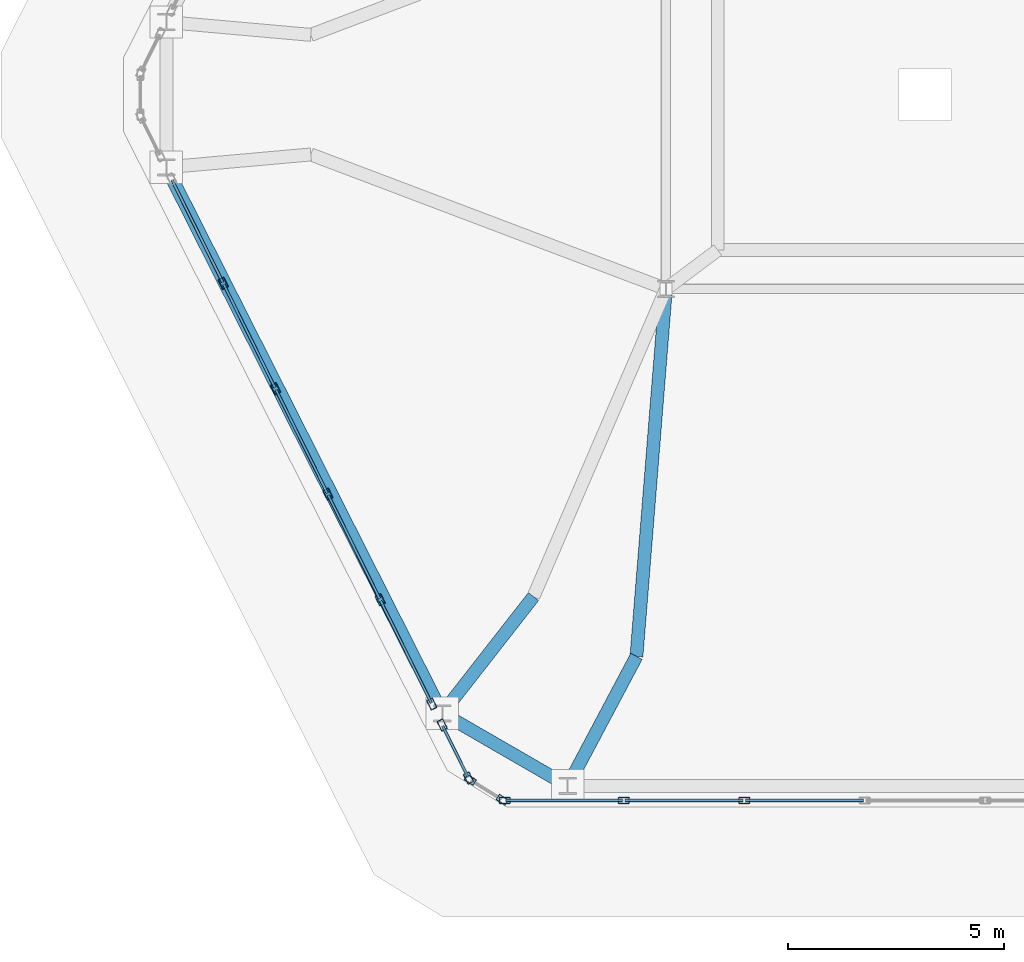
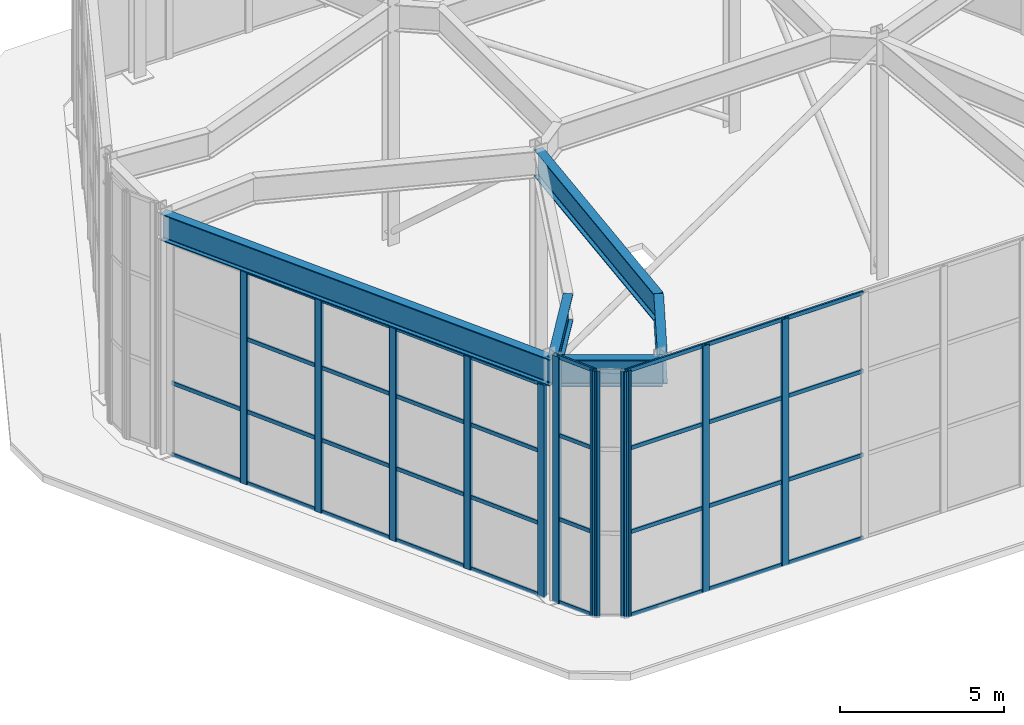
# One storey, part 2 of 12: 46 members, 5 beams, 4 elements without a shape of their own.
"""IFC4 building model written with IfcOpenShell, lengths in metres."""

from ifc_helpers import new_model, si_unit, direction, frame, origin, origin_2d, place, context, subcontext, project, spatial, hollow_rectangle, i_section, extrude, material, layer, layer_set, material_profile, profile_set, type_object, element, aggregate, save


model = new_model("IFC4")

# Units and contexts
model_context = context("Model", 3, precision=1e-05, world=origin(), true_north=direction((0.0, 1.0)))
body_context = subcontext(model_context, "Body", "Model", "MODEL_VIEW")
ifc_project = project(units=[si_unit("LENGTHUNIT", "METRE"), si_unit("AREAUNIT", "SQUARE_METRE"), si_unit("VOLUMEUNIT", "CUBIC_METRE"), si_unit("PLANEANGLEUNIT", "RADIAN"), si_unit("MASSUNIT", "GRAM", prefix="KILO")], contexts=[model_context])

# Site, building, storey
site_placement = place(None, origin())
site = spatial("IfcSite", under=ifc_project, at=site_placement, CompositionType="ELEMENT")
building_placement = place(site_placement, origin())
building = spatial("IfcBuilding", under=site, at=building_placement, Name="Cinnabar Lancet Tower", CompositionType="ELEMENT")
storey_placement = place(building_placement, frame((0.0, 0.0, 305.5)))
storey = spatial("IfcBuildingStorey", under=building, at=storey_placement, Name="L80", CompositionType="ELEMENT", Elevation=305.5)

# Curtain wall, members
ifc_material_1 = material(Name="Thermally broken bronze-anodized aluminium and low-E glass", Category="aluminium")
ifc_layer = layer(ifc_material_1, 0.179931640625)
ifc_layer_set = layer_set([ifc_layer], Name="Thermally broken bronze-anodized aluminium and low-E glass")
curtain_wall_type = type_object("IfcCurtainWallType", Name="ENV-CW-SYS-05", PredefinedType="NOTDEFINED", material=ifc_layer_set)
curtain_wall_1_placement = place(storey_placement, origin())
curtain_wall_1 = element("IfcCurtainWall", 1, at=curtain_wall_1_placement, inside=storey, type_object=curtain_wall_type, Name="L80 Faceted Lancet Crown Curtain Wall 1", PredefinedType="NOTDEFINED")
ifc_material_2 = material(Name="Anodized architectural aluminium 6063-T6", Category="aluminium")
ifc_material_profile_1 = material_profile(ifc_material_2, hollow_rectangle(XDim=0.14990234375, YDim=0.25, WallThickness=0.010009765625, InnerFilletRadius=0.0048828125, OuterFilletRadius=0.014892578125, at=origin_2d()), Name="RHS 250x150x10")
ifc_profile_set_1 = profile_set([ifc_material_profile_1], Name="Anodized architectural aluminium 6063-T6")
member_type_1 = type_object("IfcMemberType", Name="ENV-CW-MUL-260", PredefinedType="MULLION", material=ifc_profile_set_1)
member_1_placement = place(storey_placement, frame((21.865478515625, 9.92724609375, 0.0), z_axis=(0.0, 0.0, 1.0), x_axis=(0.527496027734, 0.849557497009, 0.0)))
member_1 = element("IfcMember", 2, at=member_1_placement, type_object=member_type_1, Name="CW-05 mullion 1", PredefinedType="MULLION", context=body_context, shape_type="SweptSolid", body=[
    extrude(hollow_rectangle(XDim=0.14990234375, YDim=0.25, WallThickness=0.010009765625, InnerFilletRadius=0.0048828125, OuterFilletRadius=0.014892578125, at=origin_2d()), origin(), (0.0, 0.0, 1.0), 9.175048828125),
])
member_2_placement = place(storey_placement, frame((22.6083984375, 9.4658203125, 0.0), z_axis=(0.0, 0.0, 1.0), x_axis=(0.527496027734, 0.849557497009, 0.0)))
member_2 = element("IfcMember", 3, at=member_2_placement, type_object=member_type_1, Name="CW-05 mullion 2", PredefinedType="MULLION", context=body_context, shape_type="SweptSolid", body=[
    extrude(hollow_rectangle(XDim=0.14990234375, YDim=0.25, WallThickness=0.010009765625, InnerFilletRadius=0.0048828125, OuterFilletRadius=0.014892578125, at=origin_2d()), origin(), (0.0, 0.0, 1.0), 9.175048828125),
])
aggregate(curtain_wall_1, [member_1, member_2])

curtain_wall_2_placement = place(storey_placement, origin())
curtain_wall_2 = element("IfcCurtainWall", 4, at=curtain_wall_2_placement, inside=storey, type_object=curtain_wall_type, Name="L80 Faceted Lancet Crown Curtain Wall 2", PredefinedType="NOTDEFINED")
member_3_placement = place(storey_placement, frame((22.6640625, 9.449951171875, 0.0), z_axis=(0.0, 0.0, 1.0), x_axis=(0.0, 1.0, 0.0)))
member_3 = element("IfcMember", 5, at=member_3_placement, type_object=member_type_1, Name="CW-05 mullion 1", PredefinedType="MULLION", context=body_context, shape_type="SweptSolid", body=[
    extrude(hollow_rectangle(XDim=0.14990234375, YDim=0.25, WallThickness=0.010009765625, InnerFilletRadius=0.0048828125, OuterFilletRadius=0.014892578125, at=origin_2d()), origin(), (0.0, 0.0, 1.0), 9.175048828125),
])
member_4_placement = place(storey_placement, frame((25.42431640625, 9.449951171875, 0.0), z_axis=(0.0, 0.0, 1.0), x_axis=(0.0, 1.0, 0.0)))
member_4 = element("IfcMember", 6, at=member_4_placement, type_object=member_type_1, Name="CW-05 mullion 2", PredefinedType="MULLION", context=body_context, shape_type="SweptSolid", body=[
    extrude(hollow_rectangle(XDim=0.14990234375, YDim=0.25, WallThickness=0.010009765625, InnerFilletRadius=0.0048828125, OuterFilletRadius=0.014892578125, at=origin_2d()), origin(), (0.0, 0.0, 1.0), 9.175048828125),
])
member_5_placement = place(storey_placement, frame((28.214599609375, 9.449951171875, 0.0), z_axis=(0.0, 0.0, 1.0), x_axis=(0.0, 1.0, 0.0)))
member_5 = element("IfcMember", 7, at=member_5_placement, type_object=member_type_1, Name="CW-05 mullion 3", PredefinedType="MULLION", context=body_context, shape_type="SweptSolid", body=[
    extrude(hollow_rectangle(XDim=0.14990234375, YDim=0.25, WallThickness=0.010009765625, InnerFilletRadius=0.0048828125, OuterFilletRadius=0.014892578125, at=origin_2d()), origin(), (0.0, 0.0, 1.0), 9.175048828125),
])

curtain_wall_3_placement = place(storey_placement, origin())
curtain_wall_3 = element("IfcCurtainWall", 8, at=curtain_wall_3_placement, inside=storey, type_object=curtain_wall_type, Name="L80 Faceted Lancet Crown Curtain Wall 19", PredefinedType="NOTDEFINED")
member_6_placement = place(storey_placement, frame((16.14501953125, 21.43017578125, 0.0), z_axis=(0.0, 0.0, 1.0), x_axis=(0.8959477521, 0.44415945955, 0.0)))
member_6 = element("IfcMember", 9, at=member_6_placement, type_object=member_type_1, Name="CW-05 mullion 2", PredefinedType="MULLION", context=body_context, shape_type="SweptSolid", body=[
    extrude(hollow_rectangle(XDim=0.14990234375, YDim=0.25, WallThickness=0.010009765625, InnerFilletRadius=0.0048828125, OuterFilletRadius=0.014892578125, at=origin_2d()), origin(), (0.0, 0.0, 1.0), 7.9150390625),
])
member_7_placement = place(storey_placement, frame((17.35595703125, 18.9873046875, 0.0), z_axis=(0.0, 0.0, 1.0), x_axis=(0.8959477521, 0.44415945955, 0.0)))
member_7 = element("IfcMember", 10, at=member_7_placement, type_object=member_type_1, Name="CW-05 mullion 3", PredefinedType="MULLION", context=body_context, shape_type="SweptSolid", body=[
    extrude(hollow_rectangle(XDim=0.14990234375, YDim=0.25, WallThickness=0.010009765625, InnerFilletRadius=0.0048828125, OuterFilletRadius=0.014892578125, at=origin_2d()), origin(), (0.0, 0.0, 1.0), 7.9150390625),
])
member_8_placement = place(storey_placement, frame((18.56689453125, 16.544677734375, 0.0), z_axis=(0.0, 0.0, 1.0), x_axis=(0.8959477521, 0.44415945955, 0.0)))
member_8 = element("IfcMember", 11, at=member_8_placement, type_object=member_type_1, Name="CW-05 mullion 4", PredefinedType="MULLION", context=body_context, shape_type="SweptSolid", body=[
    extrude(hollow_rectangle(XDim=0.14990234375, YDim=0.25, WallThickness=0.010009765625, InnerFilletRadius=0.0048828125, OuterFilletRadius=0.014892578125, at=origin_2d()), origin(), (0.0, 0.0, 1.0), 7.9150390625),
])
member_9_placement = place(storey_placement, frame((19.778076171875, 14.101806640625, 0.0), z_axis=(0.0, 0.0, 1.0), x_axis=(0.8959477521, 0.44415945955, 0.0)))
member_9 = element("IfcMember", 12, at=member_9_placement, type_object=member_type_1, Name="CW-05 mullion 5", PredefinedType="MULLION", context=body_context, shape_type="SweptSolid", body=[
    extrude(hollow_rectangle(XDim=0.14990234375, YDim=0.25, WallThickness=0.010009765625, InnerFilletRadius=0.0048828125, OuterFilletRadius=0.014892578125, at=origin_2d()), origin(), (0.0, 0.0, 1.0), 7.9150390625),
])
member_10_placement = place(storey_placement, frame((20.9755859375, 11.685791015625, 0.0), z_axis=(0.0, 0.0, 1.0), x_axis=(0.8959477521, 0.44415945955, 0.0)))
member_10 = element("IfcMember", 13, at=member_10_placement, type_object=member_type_1, Name="CW-05 mullion 6", PredefinedType="MULLION", context=body_context, shape_type="SweptSolid", body=[
    extrude(hollow_rectangle(XDim=0.14990234375, YDim=0.25, WallThickness=0.010009765625, InnerFilletRadius=0.0048828125, OuterFilletRadius=0.014892578125, at=origin_2d()), origin(), (0.0, 0.0, 1.0), 7.9150390625),
])

curtain_wall_4_placement = place(storey_placement, origin())
curtain_wall_4 = element("IfcCurtainWall", 14, at=curtain_wall_4_placement, inside=storey, type_object=curtain_wall_type, Name="L80 Faceted Lancet Crown Curtain Wall 20", PredefinedType="NOTDEFINED")
member_11_placement = place(storey_placement, frame((21.21728515625, 11.1982421875, 0.0), z_axis=(0.0, 0.0, 1.0), x_axis=(0.895820359373, 0.444416340533, 0.0)))
member_11 = element("IfcMember", 15, at=member_11_placement, type_object=member_type_1, Name="CW-05 mullion 1", PredefinedType="MULLION", context=body_context, shape_type="SweptSolid", body=[
    extrude(hollow_rectangle(XDim=0.14990234375, YDim=0.25, WallThickness=0.010009765625, InnerFilletRadius=0.0048828125, OuterFilletRadius=0.014892578125, at=origin_2d()), origin(), (0.0, 0.0, 1.0), 9.175048828125),
])
member_12_placement = place(storey_placement, frame((21.82666015625, 9.969970703125, 0.0), z_axis=(0.0, 0.0, 1.0), x_axis=(0.895820359373, 0.444416340533, 0.0)))
member_12 = element("IfcMember", 16, at=member_12_placement, type_object=member_type_1, Name="CW-05 mullion 2", PredefinedType="MULLION", context=body_context, shape_type="SweptSolid", body=[
    extrude(hollow_rectangle(XDim=0.14990234375, YDim=0.25, WallThickness=0.010009765625, InnerFilletRadius=0.0048828125, OuterFilletRadius=0.014892578125, at=origin_2d()), origin(), (0.0, 0.0, 1.0), 9.175048828125),
])

# Member
ifc_material_3 = material(Name="Anodized architectural aluminium 6063-T6", Category="aluminium")
ifc_material_profile_2 = material_profile(ifc_material_3, hollow_rectangle(XDim=0.06494140625, YDim=0.14990234375, WallThickness=0.00390625, InnerFilletRadius=0.001953125, OuterFilletRadius=0.006103515625, at=origin_2d()), Name="CW-TRN 150x65x4")
ifc_profile_set_2 = profile_set([ifc_material_profile_2], Name="Anodized architectural aluminium 6063-T6")
member_type_2 = type_object("IfcMemberType", Name="ENV-CW-TRN-160", PredefinedType="USERDEFINED", material=ifc_profile_set_2)
member_13_placement = place(storey_placement, frame((22.694091796875, 9.449951171875, 0.030029296875), z_axis=(1.0, 0.0, 0.0), x_axis=(0.0, 1.0, 0.0)))
member_13 = element("IfcMember", 17, at=member_13_placement, type_object=member_type_2, Name="CW-05 transom 1.1", ObjectType="TRANSOM", PredefinedType="USERDEFINED", context=body_context, shape_type="SweptSolid", body=[
    extrude(hollow_rectangle(XDim=0.06494140625, YDim=0.14990234375, WallThickness=0.00390625, InnerFilletRadius=0.001953125, OuterFilletRadius=0.006103515625, at=origin_2d()), origin(), (0.0, 0.0, 1.0), 2.7001953125),
])

member_14_placement = place(storey_placement, frame((22.694091796875, 9.449951171875, 3.1201171875), z_axis=(1.0, 0.0, 0.0), x_axis=(0.0, 1.0, 0.0)))
member_14 = element("IfcMember", 18, at=member_14_placement, type_object=member_type_2, Name="CW-05 transom 1.2", ObjectType="TRANSOM", PredefinedType="USERDEFINED", context=body_context, shape_type="SweptSolid", body=[
    extrude(hollow_rectangle(XDim=0.06494140625, YDim=0.14990234375, WallThickness=0.00390625, InnerFilletRadius=0.001953125, OuterFilletRadius=0.006103515625, at=origin_2d()), origin(), (0.0, 0.0, 1.0), 2.7001953125),
])

member_15_placement = place(storey_placement, frame((22.694091796875, 9.449951171875, 6.239013671875), z_axis=(1.0, 0.0, 0.0), x_axis=(0.0, 1.0, 0.0)))
member_15 = element("IfcMember", 19, at=member_15_placement, type_object=member_type_2, Name="CW-05 transom 1.3", ObjectType="TRANSOM", PredefinedType="USERDEFINED", context=body_context, shape_type="SweptSolid", body=[
    extrude(hollow_rectangle(XDim=0.06494140625, YDim=0.14990234375, WallThickness=0.00390625, InnerFilletRadius=0.001953125, OuterFilletRadius=0.006103515625, at=origin_2d()), origin(), (0.0, 0.0, 1.0), 2.7001953125),
])

member_16_placement = place(storey_placement, frame((22.694091796875, 9.449951171875, 9.14501953125), z_axis=(1.0, 0.0, 0.0), x_axis=(0.0, 1.0, 0.0)))
member_16 = element("IfcMember", 20, at=member_16_placement, type_object=member_type_2, Name="CW-05 transom 1.4", ObjectType="TRANSOM", PredefinedType="USERDEFINED", context=body_context, shape_type="SweptSolid", body=[
    extrude(hollow_rectangle(XDim=0.06494140625, YDim=0.14990234375, WallThickness=0.00390625, InnerFilletRadius=0.001953125, OuterFilletRadius=0.006103515625, at=origin_2d()), origin(), (0.0, 0.0, 1.0), 2.7001953125),
])

member_17_placement = place(storey_placement, frame((25.454345703125, 9.449951171875, 0.030029296875), z_axis=(1.0, 0.0, 0.0), x_axis=(0.0, 1.0, 0.0)))
member_17 = element("IfcMember", 21, at=member_17_placement, type_object=member_type_2, Name="CW-05 transom 2.1", ObjectType="TRANSOM", PredefinedType="USERDEFINED", context=body_context, shape_type="SweptSolid", body=[
    extrude(hollow_rectangle(XDim=0.06494140625, YDim=0.14990234375, WallThickness=0.00390625, InnerFilletRadius=0.001953125, OuterFilletRadius=0.006103515625, at=origin_2d()), origin(), (0.0, 0.0, 1.0), 2.730224609375),
])

member_18_placement = place(storey_placement, frame((25.454345703125, 9.449951171875, 3.1201171875), z_axis=(1.0, 0.0, 0.0), x_axis=(0.0, 1.0, 0.0)))
member_18 = element("IfcMember", 22, at=member_18_placement, type_object=member_type_2, Name="CW-05 transom 2.2", ObjectType="TRANSOM", PredefinedType="USERDEFINED", context=body_context, shape_type="SweptSolid", body=[
    extrude(hollow_rectangle(XDim=0.06494140625, YDim=0.14990234375, WallThickness=0.00390625, InnerFilletRadius=0.001953125, OuterFilletRadius=0.006103515625, at=origin_2d()), origin(), (0.0, 0.0, 1.0), 2.730224609375),
])

member_19_placement = place(storey_placement, frame((25.454345703125, 9.449951171875, 6.239013671875), z_axis=(1.0, 0.0, 0.0), x_axis=(0.0, 1.0, 0.0)))
member_19 = element("IfcMember", 23, at=member_19_placement, type_object=member_type_2, Name="CW-05 transom 2.3", ObjectType="TRANSOM", PredefinedType="USERDEFINED", context=body_context, shape_type="SweptSolid", body=[
    extrude(hollow_rectangle(XDim=0.06494140625, YDim=0.14990234375, WallThickness=0.00390625, InnerFilletRadius=0.001953125, OuterFilletRadius=0.006103515625, at=origin_2d()), origin(), (0.0, 0.0, 1.0), 2.730224609375),
])

member_20_placement = place(storey_placement, frame((25.454345703125, 9.449951171875, 9.14501953125), z_axis=(1.0, 0.0, 0.0), x_axis=(0.0, 1.0, 0.0)))
member_20 = element("IfcMember", 24, at=member_20_placement, type_object=member_type_2, Name="CW-05 transom 2.4", ObjectType="TRANSOM", PredefinedType="USERDEFINED", context=body_context, shape_type="SweptSolid", body=[
    extrude(hollow_rectangle(XDim=0.06494140625, YDim=0.14990234375, WallThickness=0.00390625, InnerFilletRadius=0.001953125, OuterFilletRadius=0.006103515625, at=origin_2d()), origin(), (0.0, 0.0, 1.0), 2.730224609375),
])

member_21_placement = place(storey_placement, frame((28.24462890625, 9.449951171875, 0.030029296875), z_axis=(1.0, 0.0, 0.0), x_axis=(0.0, 1.0, 0.0)))
member_21 = element("IfcMember", 25, at=member_21_placement, type_object=member_type_2, Name="CW-05 transom 3.1", ObjectType="TRANSOM", PredefinedType="USERDEFINED", context=body_context, shape_type="SweptSolid", body=[
    extrude(hollow_rectangle(XDim=0.06494140625, YDim=0.14990234375, WallThickness=0.00390625, InnerFilletRadius=0.001953125, OuterFilletRadius=0.006103515625, at=origin_2d()), origin(), (0.0, 0.0, 1.0), 2.730224609375),
])

member_22_placement = place(storey_placement, frame((28.24462890625, 9.449951171875, 3.1201171875), z_axis=(1.0, 0.0, 0.0), x_axis=(0.0, 1.0, 0.0)))
member_22 = element("IfcMember", 26, at=member_22_placement, type_object=member_type_2, Name="CW-05 transom 3.2", ObjectType="TRANSOM", PredefinedType="USERDEFINED", context=body_context, shape_type="SweptSolid", body=[
    extrude(hollow_rectangle(XDim=0.06494140625, YDim=0.14990234375, WallThickness=0.00390625, InnerFilletRadius=0.001953125, OuterFilletRadius=0.006103515625, at=origin_2d()), origin(), (0.0, 0.0, 1.0), 2.730224609375),
])

member_23_placement = place(storey_placement, frame((28.24462890625, 9.449951171875, 6.239013671875), z_axis=(1.0, 0.0, 0.0), x_axis=(0.0, 1.0, 0.0)))
member_23 = element("IfcMember", 27, at=member_23_placement, type_object=member_type_2, Name="CW-05 transom 3.3", ObjectType="TRANSOM", PredefinedType="USERDEFINED", context=body_context, shape_type="SweptSolid", body=[
    extrude(hollow_rectangle(XDim=0.06494140625, YDim=0.14990234375, WallThickness=0.00390625, InnerFilletRadius=0.001953125, OuterFilletRadius=0.006103515625, at=origin_2d()), origin(), (0.0, 0.0, 1.0), 2.730224609375),
])

member_24_placement = place(storey_placement, frame((28.24462890625, 9.449951171875, 9.14501953125), z_axis=(1.0, 0.0, 0.0), x_axis=(0.0, 1.0, 0.0)))
member_24 = element("IfcMember", 28, at=member_24_placement, type_object=member_type_2, Name="CW-05 transom 3.4", ObjectType="TRANSOM", PredefinedType="USERDEFINED", context=body_context, shape_type="SweptSolid", body=[
    extrude(hollow_rectangle(XDim=0.06494140625, YDim=0.14990234375, WallThickness=0.00390625, InnerFilletRadius=0.001953125, OuterFilletRadius=0.006103515625, at=origin_2d()), origin(), (0.0, 0.0, 1.0), 2.730224609375),
])

aggregate(curtain_wall_2, [member_3, member_4, member_5, member_13, member_14, member_15, member_16, member_17, member_18, member_19, member_20, member_21, member_22, member_23, member_24])

member_25_placement = place(storey_placement, frame((14.960693359375, 23.8193359375, 0.030029296875), z_axis=(0.444099599874, -0.895977424599, 0.0), x_axis=(0.895977424599, 0.444099599874, 0.0)))
member_25 = element("IfcMember", 29, at=member_25_placement, type_object=member_type_2, Name="CW-05 transom 1.1", ObjectType="TRANSOM", PredefinedType="USERDEFINED", context=body_context, shape_type="SweptSolid", body=[
    extrude(hollow_rectangle(XDim=0.06494140625, YDim=0.14990234375, WallThickness=0.00390625, InnerFilletRadius=0.001953125, OuterFilletRadius=0.006103515625, at=origin_2d()), origin(), (0.0, 0.0, 1.0), 2.636474609375),
])

member_26_placement = place(storey_placement, frame((14.960693359375, 23.8193359375, 2.69091796875), z_axis=(0.444099599874, -0.895977424599, 0.0), x_axis=(0.895977424599, 0.444099599874, 0.0)))
member_26 = element("IfcMember", 30, at=member_26_placement, type_object=member_type_2, Name="CW-05 transom 1.2", ObjectType="TRANSOM", PredefinedType="USERDEFINED", context=body_context, shape_type="SweptSolid", body=[
    extrude(hollow_rectangle(XDim=0.06494140625, YDim=0.14990234375, WallThickness=0.00390625, InnerFilletRadius=0.001953125, OuterFilletRadius=0.006103515625, at=origin_2d()), origin(), (0.0, 0.0, 1.0), 2.636474609375),
])

member_27_placement = place(storey_placement, frame((16.158203125, 21.4033203125, 0.030029296875), z_axis=(0.444208183798, -0.895923595764, 0.0), x_axis=(0.895923595764, 0.444208183798, 0.0)))
member_27 = element("IfcMember", 31, at=member_27_placement, type_object=member_type_2, Name="CW-05 transom 2.1", ObjectType="TRANSOM", PredefinedType="USERDEFINED", context=body_context, shape_type="SweptSolid", body=[
    extrude(hollow_rectangle(XDim=0.06494140625, YDim=0.14990234375, WallThickness=0.00390625, InnerFilletRadius=0.001953125, OuterFilletRadius=0.006103515625, at=origin_2d()), origin(), (0.0, 0.0, 1.0), 2.666748046875),
])

member_28_placement = place(storey_placement, frame((16.158203125, 21.4033203125, 2.69091796875), z_axis=(0.444208183798, -0.895923595764, 0.0), x_axis=(0.895923595764, 0.444208183798, 0.0)))
member_28 = element("IfcMember", 32, at=member_28_placement, type_object=member_type_2, Name="CW-05 transom 2.2", ObjectType="TRANSOM", PredefinedType="USERDEFINED", context=body_context, shape_type="SweptSolid", body=[
    extrude(hollow_rectangle(XDim=0.06494140625, YDim=0.14990234375, WallThickness=0.00390625, InnerFilletRadius=0.001953125, OuterFilletRadius=0.006103515625, at=origin_2d()), origin(), (0.0, 0.0, 1.0), 2.666748046875),
])

member_29_placement = place(storey_placement, frame((16.158203125, 21.4033203125, 5.382080078125), z_axis=(0.444208183798, -0.895923595764, 0.0), x_axis=(0.895923595764, 0.444208183798, 0.0)))
member_29 = element("IfcMember", 33, at=member_29_placement, type_object=member_type_2, Name="CW-05 transom 2.3", ObjectType="TRANSOM", PredefinedType="USERDEFINED", context=body_context, shape_type="SweptSolid", body=[
    extrude(hollow_rectangle(XDim=0.06494140625, YDim=0.14990234375, WallThickness=0.00390625, InnerFilletRadius=0.001953125, OuterFilletRadius=0.006103515625, at=origin_2d()), origin(), (0.0, 0.0, 1.0), 2.666748046875),
])

member_30_placement = place(storey_placement, frame((16.158203125, 21.4033203125, 7.885009765625), z_axis=(0.444208183798, -0.895923595764, 0.0), x_axis=(0.895923595764, 0.444208183798, 0.0)))
member_30 = element("IfcMember", 34, at=member_30_placement, type_object=member_type_2, Name="CW-05 transom 2.4", ObjectType="TRANSOM", PredefinedType="USERDEFINED", context=body_context, shape_type="SweptSolid", body=[
    extrude(hollow_rectangle(XDim=0.06494140625, YDim=0.14990234375, WallThickness=0.00390625, InnerFilletRadius=0.001953125, OuterFilletRadius=0.006103515625, at=origin_2d()), origin(), (0.0, 0.0, 1.0), 2.666748046875),
])

member_31_placement = place(storey_placement, frame((17.369384765625, 18.96044921875, 0.030029296875), z_axis=(0.444171127726, -0.895941967593, 0.0), x_axis=(0.895941967593, 0.444171127726, 0.0)))
member_31 = element("IfcMember", 35, at=member_31_placement, type_object=member_type_2, Name="CW-05 transom 3.1", ObjectType="TRANSOM", PredefinedType="USERDEFINED", context=body_context, shape_type="SweptSolid", body=[
    extrude(hollow_rectangle(XDim=0.06494140625, YDim=0.14990234375, WallThickness=0.00390625, InnerFilletRadius=0.001953125, OuterFilletRadius=0.006103515625, at=origin_2d()), origin(), (0.0, 0.0, 1.0), 2.666259765625),
])

member_32_placement = place(storey_placement, frame((17.369384765625, 18.96044921875, 2.69091796875), z_axis=(0.444171127726, -0.895941967593, 0.0), x_axis=(0.895941967593, 0.444171127726, 0.0)))
member_32 = element("IfcMember", 36, at=member_32_placement, type_object=member_type_2, Name="CW-05 transom 3.2", ObjectType="TRANSOM", PredefinedType="USERDEFINED", context=body_context, shape_type="SweptSolid", body=[
    extrude(hollow_rectangle(XDim=0.06494140625, YDim=0.14990234375, WallThickness=0.00390625, InnerFilletRadius=0.001953125, OuterFilletRadius=0.006103515625, at=origin_2d()), origin(), (0.0, 0.0, 1.0), 2.666259765625),
])

member_33_placement = place(storey_placement, frame((17.369384765625, 18.96044921875, 5.382080078125), z_axis=(0.444171127726, -0.895941967593, 0.0), x_axis=(0.895941967593, 0.444171127726, 0.0)))
member_33 = element("IfcMember", 37, at=member_33_placement, type_object=member_type_2, Name="CW-05 transom 3.3", ObjectType="TRANSOM", PredefinedType="USERDEFINED", context=body_context, shape_type="SweptSolid", body=[
    extrude(hollow_rectangle(XDim=0.06494140625, YDim=0.14990234375, WallThickness=0.00390625, InnerFilletRadius=0.001953125, OuterFilletRadius=0.006103515625, at=origin_2d()), origin(), (0.0, 0.0, 1.0), 2.666259765625),
])

member_34_placement = place(storey_placement, frame((17.369384765625, 18.96044921875, 7.885009765625), z_axis=(0.444171127726, -0.895941967593, 0.0), x_axis=(0.895941967593, 0.444171127726, 0.0)))
member_34 = element("IfcMember", 38, at=member_34_placement, type_object=member_type_2, Name="CW-05 transom 3.4", ObjectType="TRANSOM", PredefinedType="USERDEFINED", context=body_context, shape_type="SweptSolid", body=[
    extrude(hollow_rectangle(XDim=0.06494140625, YDim=0.14990234375, WallThickness=0.00390625, InnerFilletRadius=0.001953125, OuterFilletRadius=0.006103515625, at=origin_2d()), origin(), (0.0, 0.0, 1.0), 2.666259765625),
])

member_35_placement = place(storey_placement, frame((18.580322265625, 16.517822265625, 0.030029296875), z_axis=(0.44413469279, -0.895960029611, 0.0), x_axis=(0.895960029611, 0.44413469279, 0.0)))
member_35 = element("IfcMember", 39, at=member_35_placement, type_object=member_type_2, Name="CW-05 transom 4.1", ObjectType="TRANSOM", PredefinedType="USERDEFINED", context=body_context, shape_type="SweptSolid", body=[
    extrude(hollow_rectangle(XDim=0.06494140625, YDim=0.14990234375, WallThickness=0.00390625, InnerFilletRadius=0.001953125, OuterFilletRadius=0.006103515625, at=origin_2d()), origin(), (0.0, 0.0, 1.0), 2.66650390625),
])

member_36_placement = place(storey_placement, frame((18.580322265625, 16.517822265625, 2.69091796875), z_axis=(0.44413469279, -0.895960029611, 0.0), x_axis=(0.895960029611, 0.44413469279, 0.0)))
member_36 = element("IfcMember", 40, at=member_36_placement, type_object=member_type_2, Name="CW-05 transom 4.2", ObjectType="TRANSOM", PredefinedType="USERDEFINED", context=body_context, shape_type="SweptSolid", body=[
    extrude(hollow_rectangle(XDim=0.06494140625, YDim=0.14990234375, WallThickness=0.00390625, InnerFilletRadius=0.001953125, OuterFilletRadius=0.006103515625, at=origin_2d()), origin(), (0.0, 0.0, 1.0), 2.66650390625),
])

member_37_placement = place(storey_placement, frame((18.580322265625, 16.517822265625, 5.382080078125), z_axis=(0.44413469279, -0.895960029611, 0.0), x_axis=(0.895960029611, 0.44413469279, 0.0)))
member_37 = element("IfcMember", 41, at=member_37_placement, type_object=member_type_2, Name="CW-05 transom 4.3", ObjectType="TRANSOM", PredefinedType="USERDEFINED", context=body_context, shape_type="SweptSolid", body=[
    extrude(hollow_rectangle(XDim=0.06494140625, YDim=0.14990234375, WallThickness=0.00390625, InnerFilletRadius=0.001953125, OuterFilletRadius=0.006103515625, at=origin_2d()), origin(), (0.0, 0.0, 1.0), 2.66650390625),
])

member_38_placement = place(storey_placement, frame((18.580322265625, 16.517822265625, 7.885009765625), z_axis=(0.44413469279, -0.895960029611, 0.0), x_axis=(0.895960029611, 0.44413469279, 0.0)))
member_38 = element("IfcMember", 42, at=member_38_placement, type_object=member_type_2, Name="CW-05 transom 4.4", ObjectType="TRANSOM", PredefinedType="USERDEFINED", context=body_context, shape_type="SweptSolid", body=[
    extrude(hollow_rectangle(XDim=0.06494140625, YDim=0.14990234375, WallThickness=0.00390625, InnerFilletRadius=0.001953125, OuterFilletRadius=0.006103515625, at=origin_2d()), origin(), (0.0, 0.0, 1.0), 2.66650390625),
])

member_39_placement = place(storey_placement, frame((19.791259765625, 14.074951171875, 0.030029296875), z_axis=(0.44417393063, -0.895940578023, 0.0), x_axis=(0.895940578023, 0.44417393063, 0.0)))
member_39 = element("IfcMember", 43, at=member_39_placement, type_object=member_type_2, Name="CW-05 transom 5.1", ObjectType="TRANSOM", PredefinedType="USERDEFINED", context=body_context, shape_type="SweptSolid", body=[
    extrude(hollow_rectangle(XDim=0.06494140625, YDim=0.14990234375, WallThickness=0.00390625, InnerFilletRadius=0.001953125, OuterFilletRadius=0.006103515625, at=origin_2d()), origin(), (0.0, 0.0, 1.0), 2.63671875),
])

member_40_placement = place(storey_placement, frame((19.791259765625, 14.074951171875, 2.69091796875), z_axis=(0.44417393063, -0.895940578023, 0.0), x_axis=(0.895940578023, 0.44417393063, 0.0)))
member_40 = element("IfcMember", 44, at=member_40_placement, type_object=member_type_2, Name="CW-05 transom 5.2", ObjectType="TRANSOM", PredefinedType="USERDEFINED", context=body_context, shape_type="SweptSolid", body=[
    extrude(hollow_rectangle(XDim=0.06494140625, YDim=0.14990234375, WallThickness=0.00390625, InnerFilletRadius=0.001953125, OuterFilletRadius=0.006103515625, at=origin_2d()), origin(), (0.0, 0.0, 1.0), 2.63671875),
])

member_41_placement = place(storey_placement, frame((19.791259765625, 14.074951171875, 5.382080078125), z_axis=(0.44417393063, -0.895940578023, 0.0), x_axis=(0.895940578023, 0.44417393063, 0.0)))
member_41 = element("IfcMember", 45, at=member_41_placement, type_object=member_type_2, Name="CW-05 transom 5.3", ObjectType="TRANSOM", PredefinedType="USERDEFINED", context=body_context, shape_type="SweptSolid", body=[
    extrude(hollow_rectangle(XDim=0.06494140625, YDim=0.14990234375, WallThickness=0.00390625, InnerFilletRadius=0.001953125, OuterFilletRadius=0.006103515625, at=origin_2d()), origin(), (0.0, 0.0, 1.0), 2.63671875),
])

member_42_placement = place(storey_placement, frame((19.791259765625, 14.074951171875, 7.885009765625), z_axis=(0.44417393063, -0.895940578023, 0.0), x_axis=(0.895940578023, 0.44417393063, 0.0)))
member_42 = element("IfcMember", 46, at=member_42_placement, type_object=member_type_2, Name="CW-05 transom 5.4", ObjectType="TRANSOM", PredefinedType="USERDEFINED", context=body_context, shape_type="SweptSolid", body=[
    extrude(hollow_rectangle(XDim=0.06494140625, YDim=0.14990234375, WallThickness=0.00390625, InnerFilletRadius=0.001953125, OuterFilletRadius=0.006103515625, at=origin_2d()), origin(), (0.0, 0.0, 1.0), 2.63671875),
])

aggregate(curtain_wall_3, [member_6, member_7, member_8, member_9, member_10, member_25, member_26, member_27, member_28, member_29, member_30, member_31, member_32, member_33, member_34, member_35, member_36, member_37, member_38, member_39, member_40, member_41, member_42])

member_43_placement = place(storey_placement, frame((21.230712890625, 11.171142578125, 0.030029296875), z_axis=(0.444380432355, -0.895838172518, 0.0), x_axis=(0.895838172518, 0.444380432355, 0.0)))
member_43 = element("IfcMember", 47, at=member_43_placement, type_object=member_type_2, Name="CW-05 transom 1.1", ObjectType="TRANSOM", PredefinedType="USERDEFINED", context=body_context, shape_type="SweptSolid", body=[
    extrude(hollow_rectangle(XDim=0.06494140625, YDim=0.14990234375, WallThickness=0.00390625, InnerFilletRadius=0.001953125, OuterFilletRadius=0.006103515625, at=origin_2d()), origin(), (0.0, 0.0, 1.0), 1.310791015625),
])

member_44_placement = place(storey_placement, frame((21.230712890625, 11.171142578125, 3.1201171875), z_axis=(0.444380432355, -0.895838172518, 0.0), x_axis=(0.895838172518, 0.444380432355, 0.0)))
member_44 = element("IfcMember", 48, at=member_44_placement, type_object=member_type_2, Name="CW-05 transom 1.2", ObjectType="TRANSOM", PredefinedType="USERDEFINED", context=body_context, shape_type="SweptSolid", body=[
    extrude(hollow_rectangle(XDim=0.06494140625, YDim=0.14990234375, WallThickness=0.00390625, InnerFilletRadius=0.001953125, OuterFilletRadius=0.006103515625, at=origin_2d()), origin(), (0.0, 0.0, 1.0), 1.310791015625),
])

member_45_placement = place(storey_placement, frame((21.230712890625, 11.171142578125, 6.239013671875), z_axis=(0.444380432355, -0.895838172518, 0.0), x_axis=(0.895838172518, 0.444380432355, 0.0)))
member_45 = element("IfcMember", 49, at=member_45_placement, type_object=member_type_2, Name="CW-05 transom 1.3", ObjectType="TRANSOM", PredefinedType="USERDEFINED", context=body_context, shape_type="SweptSolid", body=[
    extrude(hollow_rectangle(XDim=0.06494140625, YDim=0.14990234375, WallThickness=0.00390625, InnerFilletRadius=0.001953125, OuterFilletRadius=0.006103515625, at=origin_2d()), origin(), (0.0, 0.0, 1.0), 1.310791015625),
])

member_46_placement = place(storey_placement, frame((21.230712890625, 11.171142578125, 9.14501953125), z_axis=(0.444380432355, -0.895838172518, 0.0), x_axis=(0.895838172518, 0.444380432355, 0.0)))
member_46 = element("IfcMember", 50, at=member_46_placement, type_object=member_type_2, Name="CW-05 transom 1.4", ObjectType="TRANSOM", PredefinedType="USERDEFINED", context=body_context, shape_type="SweptSolid", body=[
    extrude(hollow_rectangle(XDim=0.06494140625, YDim=0.14990234375, WallThickness=0.00390625, InnerFilletRadius=0.001953125, OuterFilletRadius=0.006103515625, at=origin_2d()), origin(), (0.0, 0.0, 1.0), 1.310791015625),
])

aggregate(curtain_wall_4, [member_11, member_12, member_43, member_44, member_45, member_46])

# Beams
ifc_material_4 = material(Name="Structural steel S460", Category="steel")
ifc_material_profile_3 = material_profile(ifc_material_4, i_section(OverallWidth=0.300048828125, OverallDepth=1.0, WebThickness=0.01904296875, FlangeThickness=0.035888671875, FilletRadius=0.030029296875, at=origin_2d()), Name="UKB 1016x305x314")
ifc_profile_set_3 = profile_set([ifc_material_profile_3], Name="Structural steel S460")
beam_type = type_object("IfcBeamType", Name="STR-BM-UKB1016-314", PredefinedType="BEAM", material=ifc_profile_set_3)
beam_1_placement = place(storey_placement, frame((14.826904296875, 24.116943359375, 8.425048828125), z_axis=(0.451054677179, -0.892496318309, 0.0), x_axis=(0.892496318309, 0.451054677179, 0.0)))
element("IfcBeam", 51, at=beam_1_placement, inside=storey, type_object=beam_type, Name="L81 Setback Outer Ring Girder 11", PredefinedType="BEAM", context=body_context, shape_type="SweptSolid", body=[
    extrude(i_section(OverallWidth=0.300048828125, OverallDepth=1.0, WebThickness=0.01904296875, FlangeThickness=0.035888671875, FilletRadius=0.030029296875, at=origin_2d()), origin(), (0.0, 0.0, 1.0), 14.17138671875),
])
beam_2_placement = place(storey_placement, frame((21.218994140625, 11.468994140625, 8.425048828125), z_axis=(0.865748126485, -0.500479951134, 0.0), x_axis=(0.500479951134, 0.865748126485, 0.0)))
element("IfcBeam", 52, at=beam_2_placement, inside=storey, type_object=beam_type, Name="L81 Setback Outer Ring Girder 12", PredefinedType="BEAM", context=body_context, shape_type="SweptSolid", body=[
    extrude(i_section(OverallWidth=0.300048828125, OverallDepth=1.0, WebThickness=0.01904296875, FlangeThickness=0.035888671875, FilletRadius=0.030029296875, at=origin_2d()), origin(), (0.0, 0.0, 1.0), 3.356689453125),
])
beam_3_placement = place(storey_placement, frame((24.125, 9.7890625, 8.425048828125), z_axis=(0.468762740644, 0.883324115478, 0.0), x_axis=(-0.883324115478, 0.468762740644, 0.0)))
element("IfcBeam", 53, at=beam_3_placement, inside=storey, type_object=beam_type, Name="L81 Crown Setback Strut Girder 1", PredefinedType="BEAM", context=body_context, shape_type="SweptSolid", body=[
    extrude(i_section(OverallWidth=0.300048828125, OverallDepth=1.0, WebThickness=0.01904296875, FlangeThickness=0.035888671875, FilletRadius=0.030029296875, at=origin_2d()), origin(), (0.0, 0.0, 1.0), 3.396240234375),
])
beam_4_placement = place(storey_placement, frame((25.717041015625, 12.7890625, 8.425048828125), z_axis=(0.07997592259, 0.996796795644, 0.0), x_axis=(-0.996796795644, 0.07997592259, 0.0)))
element("IfcBeam", 54, at=beam_4_placement, inside=storey, type_object=beam_type, Name="L81 Crown Setback Radial Girder 1", PredefinedType="BEAM", context=body_context, shape_type="SweptSolid", body=[
    extrude(i_section(OverallWidth=0.300048828125, OverallDepth=1.0, WebThickness=0.01904296875, FlangeThickness=0.035888671875, FilletRadius=0.030029296875, at=origin_2d()), origin(), (0.0, 0.0, 1.0), 8.538330078125),
])
beam_5_placement = place(storey_placement, frame((21.218994140625, 11.468994140625, 8.425048828125), z_axis=(0.615688236076, 0.787989845085, 0.0), x_axis=(-0.787989845085, 0.615688236076, 0.0)))
element("IfcBeam", 55, at=beam_5_placement, inside=storey, type_object=beam_type, Name="L81 Crown Setback Strut Girder 12", PredefinedType="BEAM", context=body_context, shape_type="SweptSolid", body=[
    extrude(i_section(OverallWidth=0.300048828125, OverallDepth=1.0, WebThickness=0.01904296875, FlangeThickness=0.035888671875, FilletRadius=0.030029296875, at=origin_2d()), origin(), (0.0, 0.0, 1.0), 3.430419921875),
])

save(model, "model.ifc")
